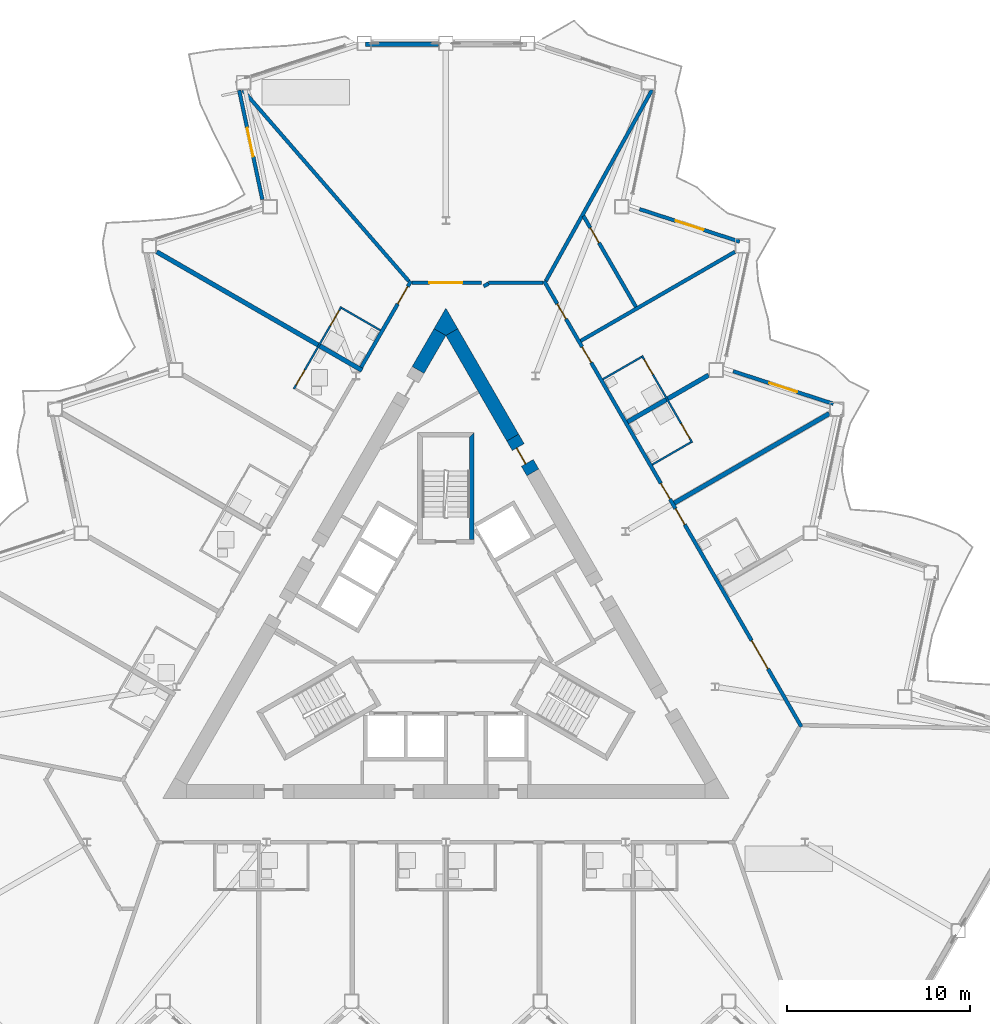
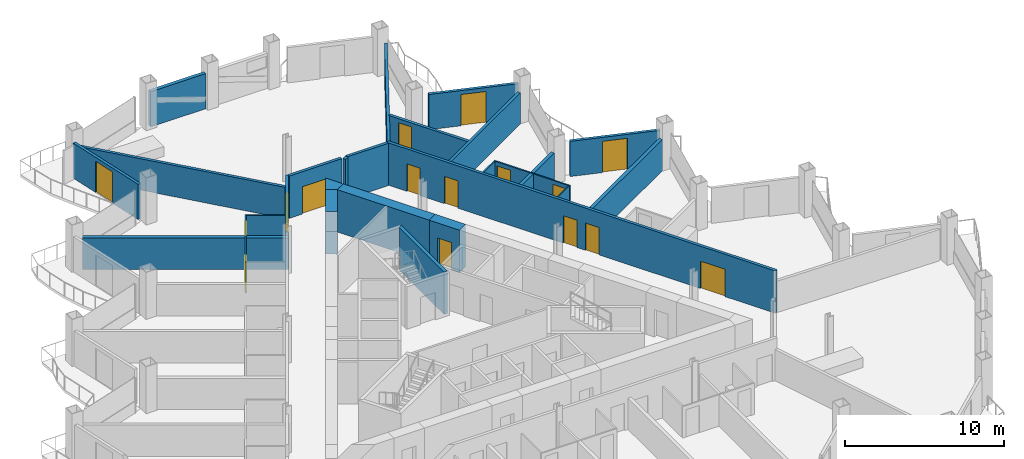
# One storey, part 14 of 23: 26 walls, 16 doors, 16 openings.
"""IFC4 building model written with IfcOpenShell, lengths in metres."""

from ifc_helpers import new_model, si_unit, direction, frame, frame_2d, origin, place, context, subcontext, project, spatial, polyline, rectangle, outline, extrude, material, layer, layer_set, type_object, element, fill, save


model = new_model("IFC4")

# Units and contexts
model_context = context("Model", 3, precision=1e-05, world=origin(), true_north=direction((0.0, 1.0)))
body_context = subcontext(model_context, "Body", "Model", "MODEL_VIEW")
ifc_project = project(units=[si_unit("LENGTHUNIT", "METRE"), si_unit("AREAUNIT", "SQUARE_METRE"), si_unit("VOLUMEUNIT", "CUBIC_METRE"), si_unit("PLANEANGLEUNIT", "RADIAN"), si_unit("MASSUNIT", "GRAM", prefix="KILO")], contexts=[model_context])

# Site, building, storey
site_placement = place(None, origin())
site = spatial("IfcSite", under=ifc_project, at=site_placement, CompositionType="ELEMENT")
building_placement = place(site_placement, origin())
building = spatial("IfcBuilding", under=site, at=building_placement, Name="Cormorant Prow Tower", CompositionType="ELEMENT")
storey_placement = place(building_placement, frame((0.0, 0.0, 183.60009765625)))
storey = spatial("IfcBuildingStorey", under=building, at=storey_placement, Name="L39", CompositionType="ELEMENT", Elevation=183.60009765625)

# Walls
ifc_material_1 = material(Name="Concrete 8000 psi", Category="concrete")
ifc_layer_1 = layer(ifc_material_1, 0.75)
ifc_layer_set_1 = layer_set([ifc_layer_1], Name="Concrete 8000 psi")
wall_type_1 = type_object("IfcWallType", Name="Core shear wall 750", PredefinedType="SHEAR", material=ifc_layer_set_1)
wall_1_placement = place(storey_placement, frame((3.661376953125, 10.806396484375, 0.0), z_axis=(0.0, 0.0, 1.0), x_axis=(-0.500014865866, 0.866016820803, 0.0)))
element("IfcWall", 1, at=wall_1_placement, inside=storey, type_object=wall_type_1, Name="Core wall", PredefinedType="SHEAR", context=body_context, shape_type="SweptSolid", body=[
    extrude(rectangle(XDim=6.673095703125, YDim=0.75, at=frame_2d((3.33642578125, 0.0))), origin(), (0.0, 0.0, 1.0), 3.25),
])
wall_2_placement = place(storey_placement, frame((-0.32470703125, 16.58544921875, 0.0), z_axis=(0.0, 0.0, 1.0), x_axis=(-0.500019473932, -0.866014160212, 0.0)))
element("IfcWall", 2, at=wall_2_placement, inside=storey, type_object=wall_type_1, Name="Core wall", PredefinedType="SHEAR", context=body_context, shape_type="SweptSolid", body=[
    extrude(rectangle(XDim=2.3955078125, YDim=0.75, at=frame_2d((1.19775390625, 0.0))), origin(), (0.0, 0.0, 1.0), 3.25),
])
wall_3_placement = place(storey_placement, origin())
element("IfcWall", 3, at=wall_3_placement, inside=storey, type_object=wall_type_1, Name="Core wall corner", PredefinedType="SHEAR", context=body_context, shape_type="SweptSolid", body=[
    extrude(outline(polyline([(-0.6494140625, 16.77294921875), (0.0, 17.89794921875), (0.6494140625, 16.77294921875), (0.0, 16.39794921875), (-0.6494140625, 16.77294921875)])), origin(), (0.0, 0.0, 1.0), 3.25),
])

# Wall, opening, door
wall_4_placement = place(storey_placement, frame((4.76123046875, 8.90087890625, 0.0), z_axis=(0.0, 0.0, 1.0), x_axis=(-0.499898558967, 0.866083962871, 0.0)))
wall_4 = element("IfcWall", 4, at=wall_4_placement, inside=storey, type_object=wall_type_1, Name="Core wall door panel", PredefinedType="SHEAR", context=body_context, shape_type="SweptSolid", body=[
    extrude(rectangle(XDim=2.2001953125, YDim=0.75, at=frame_2d((1.10009765625, 0.0))), origin(), (0.0, 0.0, 1.0), 3.25),
])
opening_1_placement = place(wall_4_placement, frame((0.60009765625, 0.0, 0.0)))
opening_1 = element("IfcOpeningElement", 5, at=opening_1_placement, cuts=wall_4, Name="Opening L39-C20", PredefinedType="OPENING", context=body_context, shape_type="SweptSolid", body=[
    extrude(rectangle(XDim=1.0, YDim=2.10009765625, at=frame_2d((0.5, 1.050048828125))), frame((0.0, 0.385009765625, 0.0), z_axis=(0.0, -1.0, 0.0), x_axis=(1.0, 0.0, 0.0)), (0.0, 0.0, 1.0), 0.77001953125),
])
ifc_material_2 = material(Name="Painted steel", Category="steel")
door_type_1 = type_object("IfcDoorType", Name="Service door 1000x2100", OperationType="NOTDEFINED", PredefinedType="DOOR", material=ifc_material_2)
door_1_placement = place(opening_1_placement, origin())
door_1 = element("IfcDoor", 6, at=door_1_placement, inside=storey, type_object=door_type_1, Name="Core door, Linen store", OperationType="SINGLE_SWING_RIGHT", OverallHeight=2.10009765625, OverallWidth=1.0, PredefinedType="DOOR", context=body_context, shape_type="SweptSolid", body=[
    extrude(rectangle(XDim=1.0, YDim=2.10009765625, at=frame_2d((0.5, 1.050048828125))), frame((0.0, 0.1298828125, 0.0), z_axis=(0.0, -1.0, 0.0), x_axis=(1.0, 0.0, 0.0)), (0.0, 0.0, 1.0), 0.050048828125),
])
fill(opening_1, door_1)

# Wall, openings, doors
ifc_material_3 = material(Name="Gypsum board corridor wall")
ifc_layer_2 = layer(ifc_material_3, 0.199951171875)
ifc_layer_set_2 = layer_set([ifc_layer_2], Name="Gypsum board corridor wall")
wall_type_2 = type_object("IfcWallType", Name="Corridor wall 200", PredefinedType="PARTITIONING", material=ifc_layer_set_2)
wall_5_placement = place(storey_placement, frame((5.377197265625, 19.384521484375, 0.0), z_axis=(0.0, 0.0, 1.0), x_axis=(0.500000757641, -0.86602496636, 0.0)))
wall_5 = element("IfcWall", 7, at=wall_5_placement, inside=storey, type_object=wall_type_2, Name="Corridor wall", PredefinedType="PARTITIONING", context=body_context, shape_type="SweptSolid", body=[
    extrude(rectangle(XDim=28.19775390625, YDim=0.199951171875, at=frame_2d((14.098876953125, 0.0))), origin(), (0.0, 0.0, 1.0), 3.25),
])
opening_2_placement = place(wall_5_placement, frame((22.73486328125, 0.0, 0.0)))
opening_2 = element("IfcOpeningElement", 8, at=opening_2_placement, cuts=wall_5, Name="Opening L39-F14", PredefinedType="OPENING", context=body_context, shape_type="SweptSolid", body=[
    extrude(rectangle(XDim=1.800048828125, YDim=2.10009765625, at=frame_2d((0.89990234375, 1.050048828125))), frame((0.0, 0.10986328125, 0.0), z_axis=(0.0, -1.0, 0.0), x_axis=(1.0, 0.0, 0.0)), (0.0, 0.0, 1.0), 0.219970703125),
])
opening_3_placement = place(wall_5_placement, frame((14.40185546875, 0.0, 0.0)))
opening_3 = element("IfcOpeningElement", 9, at=opening_3_placement, cuts=wall_5, Name="Opening L39-F15", PredefinedType="OPENING", context=body_context, shape_type="SweptSolid", body=[
    extrude(rectangle(XDim=1.0, YDim=2.10009765625, at=frame_2d((0.5, 1.050048828125))), frame((0.0, 0.10986328125, 0.0), z_axis=(0.0, -1.0, 0.0), x_axis=(1.0, 0.0, 0.0)), (0.0, 0.0, 1.0), 0.219970703125),
])
opening_4_placement = place(wall_5_placement, frame((12.7958984375, 0.0, 0.0)))
opening_4 = element("IfcOpeningElement", 10, at=opening_4_placement, cuts=wall_5, Name="Opening L39-F17", PredefinedType="OPENING", context=body_context, shape_type="SweptSolid", body=[
    extrude(rectangle(XDim=1.0, YDim=2.10009765625, at=frame_2d((0.5, 1.050048828125))), frame((0.0, 0.10986328125, 0.0), z_axis=(0.0, -1.0, 0.0), x_axis=(1.0, 0.0, 0.0)), (0.0, 0.0, 1.0), 0.219970703125),
])
opening_5_placement = place(wall_5_placement, frame((4.164306640625, 0.0, 0.0)))
opening_5 = element("IfcOpeningElement", 11, at=opening_5_placement, cuts=wall_5, Name="Opening L39-F19", PredefinedType="OPENING", context=body_context, shape_type="SweptSolid", body=[
    extrude(rectangle(XDim=1.0, YDim=2.10009765625, at=frame_2d((0.5, 1.050048828125))), frame((0.0, 0.10986328125, 0.0), z_axis=(0.0, -1.0, 0.0), x_axis=(1.0, 0.0, 0.0)), (0.0, 0.0, 1.0), 0.219970703125),
])
opening_6_placement = place(wall_5_placement, frame((1.4521484375, 0.0, 0.0)))
opening_6 = element("IfcOpeningElement", 12, at=opening_6_placement, cuts=wall_5, Name="Opening L39-F21", PredefinedType="OPENING", context=body_context, shape_type="SweptSolid", body=[
    extrude(rectangle(XDim=0.949951171875, YDim=2.10009765625, at=frame_2d((0.47509765625, 1.050048828125))), frame((0.0, 0.10986328125, 0.0), z_axis=(0.0, -1.0, 0.0), x_axis=(1.0, 0.0, 0.0)), (0.0, 0.0, 1.0), 0.219970703125),
])
ifc_material_4 = material(Name="Timber door leaf", Category="wood")
door_type_2 = type_object("IfcDoorType", Name="Double door 1800x2100", OperationType="DOUBLE_DOOR_SINGLE_SWING", PredefinedType="DOOR", material=ifc_material_4)
door_2_placement = place(opening_2_placement, origin())
door_2 = element("IfcDoor", 13, at=door_2_placement, inside=storey, type_object=door_type_2, Name="Club lounge door", OperationType="DOUBLE_DOOR_SINGLE_SWING", OverallHeight=2.10009765625, OverallWidth=1.800048828125, PredefinedType="DOOR", context=body_context, shape_type="SweptSolid", body=[
    extrude(rectangle(XDim=1.800048828125, YDim=2.10009765625, at=frame_2d((0.89990234375, 1.050048828125))), frame((0.0, 0.02490234375, 0.0), z_axis=(0.0, -1.0, 0.0), x_axis=(1.0, 0.0, 0.0)), (0.0, 0.0, 1.0), 0.050048828125),
])
fill(opening_2, door_2)
ifc_material_5 = material(Name="Timber door leaf", Category="wood")
door_type_3 = type_object("IfcDoorType", Name="Flat or room entrance door 1000x2100", OperationType="NOTDEFINED", PredefinedType="DOOR", material=ifc_material_5)
door_3_placement = place(opening_3_placement, origin())
door_3 = element("IfcDoor", 14, at=door_3_placement, inside=storey, type_object=door_type_3, Name="Guest room door", OperationType="SINGLE_SWING_LEFT", OverallHeight=2.10009765625, OverallWidth=1.0, PredefinedType="DOOR", context=body_context, shape_type="SweptSolid", body=[
    extrude(rectangle(XDim=1.0, YDim=2.10009765625, at=frame_2d((0.5, 1.050048828125))), frame((0.0, 0.02490234375, 0.0), z_axis=(0.0, -1.0, 0.0), x_axis=(1.0, 0.0, 0.0)), (0.0, 0.0, 1.0), 0.050048828125),
])
fill(opening_3, door_3)
door_4_placement = place(opening_4_placement, origin())
door_4 = element("IfcDoor", 15, at=door_4_placement, inside=storey, type_object=door_type_3, Name="Guest room door", OperationType="SINGLE_SWING_RIGHT", OverallHeight=2.10009765625, OverallWidth=1.0, PredefinedType="DOOR", context=body_context, shape_type="SweptSolid", body=[
    extrude(rectangle(XDim=1.0, YDim=2.10009765625, at=frame_2d((0.5, 1.050048828125))), frame((0.0, 0.02490234375, 0.0), z_axis=(0.0, -1.0, 0.0), x_axis=(1.0, 0.0, 0.0)), (0.0, 0.0, 1.0), 0.050048828125),
])
fill(opening_4, door_4)
door_5_placement = place(opening_5_placement, origin())
door_5 = element("IfcDoor", 16, at=door_5_placement, inside=storey, type_object=door_type_3, Name="Guest room door", OperationType="SINGLE_SWING_LEFT", OverallHeight=2.10009765625, OverallWidth=1.0, PredefinedType="DOOR", context=body_context, shape_type="SweptSolid", body=[
    extrude(rectangle(XDim=1.0, YDim=2.10009765625, at=frame_2d((0.5, 1.050048828125))), frame((0.0, 0.02490234375, 0.0), z_axis=(0.0, -1.0, 0.0), x_axis=(1.0, 0.0, 0.0)), (0.0, 0.0, 1.0), 0.050048828125),
])
fill(opening_5, door_5)
ifc_material_6 = material(Name="Timber door leaf", Category="wood")
door_type_4 = type_object("IfcDoorType", Name="Store door 950x2100", OperationType="NOTDEFINED", PredefinedType="DOOR", material=ifc_material_6)
door_6_placement = place(opening_6_placement, origin())
door_6 = element("IfcDoor", 17, at=door_6_placement, inside=storey, type_object=door_type_4, Name="Housekeeping room door", OperationType="SINGLE_SWING_LEFT", OverallHeight=2.10009765625, OverallWidth=0.949951171875, PredefinedType="DOOR", context=body_context, shape_type="SweptSolid", body=[
    extrude(rectangle(XDim=0.949951171875, YDim=2.10009765625, at=frame_2d((0.47509765625, 1.050048828125))), frame((0.0, 0.02490234375, 0.0), z_axis=(0.0, -1.0, 0.0), x_axis=(1.0, 0.0, 0.0)), (0.0, 0.0, 1.0), 0.050048828125),
])
fill(opening_6, door_6)

# Wall, opening, door
wall_6_placement = place(storey_placement, frame((-4.643798828125, 14.654541015625, 0.0), z_axis=(0.0, 0.0, 1.0), x_axis=(0.49998041698, 0.866036709751, 0.0)))
wall_6 = element("IfcWall", 18, at=wall_6_placement, inside=storey, type_object=wall_type_2, Name="Corridor wall", PredefinedType="PARTITIONING", context=body_context, shape_type="SweptSolid", body=[
    extrude(rectangle(XDim=5.461669921875, YDim=0.199951171875, at=frame_2d((2.73095703125, 0.0))), origin(), (0.0, 0.0, 1.0), 3.25),
])
opening_7_placement = place(wall_6_placement, frame((4.010009765625, 0.0, 0.0)))
opening_7 = element("IfcOpeningElement", 19, at=opening_7_placement, cuts=wall_6, Name="Opening L39-F24", PredefinedType="OPENING", context=body_context, shape_type="SweptSolid", body=[
    extrude(rectangle(XDim=1.10009765625, YDim=2.10009765625, at=frame_2d((0.550048828125, 1.050048828125))), frame((0.0, 0.10986328125, 0.0), z_axis=(0.0, -1.0, 0.0), x_axis=(1.0, 0.0, 0.0)), (0.0, 0.0, 1.0), 0.219970703125),
])
ifc_material_7 = material(Name="Timber door leaf", Category="wood")
door_type_5 = type_object("IfcDoorType", Name="Suite entrance door 1100x2100", OperationType="NOTDEFINED", PredefinedType="DOOR", material=ifc_material_7)
door_7_placement = place(opening_7_placement, origin())
door_7 = element("IfcDoor", 20, at=door_7_placement, inside=storey, type_object=door_type_5, Name="Junior suite door", OperationType="SINGLE_SWING_RIGHT", OverallHeight=2.10009765625, OverallWidth=1.10009765625, PredefinedType="DOOR", context=body_context, shape_type="SweptSolid", body=[
    extrude(rectangle(XDim=1.10009765625, YDim=2.10009765625, at=frame_2d((0.550048828125, 1.050048828125))), frame((0.0, 0.02490234375, 0.0), z_axis=(0.0, -1.0, 0.0), x_axis=(1.0, 0.0, 0.0)), (0.0, 0.0, 1.0), 0.050048828125),
])
fill(opening_7, door_7)

wall_7_placement = place(storey_placement, frame((-1.863037109375, 19.2978515625, 0.0), z_axis=(0.0, 0.0, 1.0), x_axis=(1.0, 0.0, 0.0)))
wall_7 = element("IfcWall", 21, at=wall_7_placement, inside=storey, type_object=wall_type_2, Name="Corridor wall", PredefinedType="PARTITIONING", context=body_context, shape_type="SweptSolid", body=[
    extrude(rectangle(XDim=3.825927734375, YDim=0.199951171875, at=frame_2d((1.9130859375, 0.0))), origin(), (0.0, 0.0, 1.0), 3.25),
])
opening_8_placement = place(wall_7_placement, frame((0.962158203125, 0.0, 0.0)))
opening_8 = element("IfcOpeningElement", 22, at=opening_8_placement, cuts=wall_7, Name="Opening L39-F23", PredefinedType="OPENING", context=body_context, shape_type="SweptSolid", body=[
    extrude(rectangle(XDim=1.800048828125, YDim=2.10009765625, at=frame_2d((0.89990234375, 1.050048828125))), frame((0.0, 0.10986328125, 0.0), z_axis=(0.0, -1.0, 0.0), x_axis=(1.0, 0.0, 0.0)), (0.0, 0.0, 1.0), 0.219970703125),
])
door_8_placement = place(opening_8_placement, origin())
door_8 = element("IfcDoor", 23, at=door_8_placement, inside=storey, type_object=door_type_2, Name="Co-working space door", OperationType="DOUBLE_DOOR_SINGLE_SWING", OverallHeight=2.10009765625, OverallWidth=1.800048828125, PredefinedType="DOOR", context=body_context, shape_type="SweptSolid", body=[
    extrude(rectangle(XDim=1.800048828125, YDim=2.10009765625, at=frame_2d((0.89990234375, 1.050048828125))), frame((0.0, 0.02490234375, 0.0), z_axis=(0.0, -1.0, 0.0), x_axis=(1.0, 0.0, 0.0)), (0.0, 0.0, 1.0), 0.050048828125),
])
fill(opening_8, door_8)

# Walls
wall_8_placement = place(storey_placement, frame((2.324951171875, 19.2978515625, 0.0), z_axis=(0.0, 0.0, 1.0), x_axis=(1.0, 0.0, 0.0)))
element("IfcWall", 24, at=wall_8_placement, inside=storey, type_object=wall_type_2, Name="Corridor wall", PredefinedType="PARTITIONING", context=body_context, shape_type="SweptSolid", body=[
    extrude(rectangle(XDim=3.002197265625, YDim=0.199951171875, at=frame_2d((1.5009765625, 0.0))), origin(), (0.0, 0.0, 1.0), 3.25),
])
wall_9_placement = place(storey_placement, frame((2.06982421875, 19.093017578125, 0.0), z_axis=(0.0, 0.0, 1.0), x_axis=(0.866395311824, 0.499358752451, 0.0)))
element("IfcWall", 25, at=wall_9_placement, inside=storey, type_object=wall_type_2, Name="Corridor wall", PredefinedType="PARTITIONING", context=body_context, shape_type="SweptSolid", body=[
    extrude(rectangle(XDim=0.31005859375, YDim=0.199951171875, at=frame_2d((0.155029296875, 0.0))), origin(), (0.0, 0.0, 1.0), 3.25),
])
ifc_material_8 = material(Name="Gypsum board demising wall")
ifc_layer_3 = layer(ifc_material_8, 0.199951171875)
ifc_layer_set_3 = layer_set([ifc_layer_3], Name="Gypsum board demising wall")
wall_type_3 = type_object("IfcWallType", Name="Demising wall 200", PredefinedType="PARTITIONING", material=ifc_layer_set_3)
wall_10_placement = place(storey_placement, frame((-11.122314453125, 29.841796875, 0.0), z_axis=(0.0, 0.0, 1.0), x_axis=(0.65579678992, -0.754937461205, 0.0)))
element("IfcWall", 26, at=wall_10_placement, inside=storey, type_object=wall_type_3, Name="Demising wall", PredefinedType="PARTITIONING", context=body_context, shape_type="SweptSolid", body=[
    extrude(rectangle(XDim=13.86669921875, YDim=0.199951171875, at=frame_2d((6.933349609375, 0.0))), origin(), (0.0, 0.0, 1.0), 2.404052734375),
])
wall_11_placement = place(storey_placement, frame((5.4755859375, 19.38525390625, 0.0), z_axis=(0.0, 0.0, 1.0), x_axis=(0.485729569949, 0.874109137853, 0.0)))
element("IfcWall", 27, at=wall_11_placement, inside=storey, type_object=wall_type_3, Name="Demising wall", PredefinedType="PARTITIONING", context=body_context, shape_type="SweptSolid", body=[
    extrude(rectangle(XDim=11.96240234375, YDim=0.199951171875, at=frame_2d((5.981201171875, 0.0))), origin(), (0.0, 0.0, 1.0), 2.404052734375),
])
wall_12_placement = place(storey_placement, frame((7.385986328125, 16.10498046875, 0.0), z_axis=(0.0, 0.0, 1.0), x_axis=(0.866023056814, 0.500004065051, 0.0)))
element("IfcWall", 28, at=wall_12_placement, inside=storey, type_object=wall_type_3, Name="Demising wall", PredefinedType="PARTITIONING", context=body_context, shape_type="SweptSolid", body=[
    extrude(rectangle(XDim=9.755859375, YDim=0.199951171875, at=frame_2d((4.8779296875, 0.0))), origin(), (0.0, 0.0, 1.0), 2.404052734375),
])

# Wall, opening, door
wall_13_placement = place(storey_placement, frame((7.534423828125, 22.947998046875, 0.0), z_axis=(0.0, 0.0, 1.0), x_axis=(0.499991885958, -0.866030088378, 0.0)))
wall_13 = element("IfcWall", 29, at=wall_13_placement, inside=storey, type_object=wall_type_3, Name="Demising wall", PredefinedType="PARTITIONING", context=body_context, shape_type="SweptSolid", body=[
    extrude(rectangle(XDim=5.751953125, YDim=0.199951171875, at=frame_2d((2.8759765625, 0.0))), origin(), (0.0, 0.0, 1.0), 2.404052734375),
])
opening_9_placement = place(wall_13_placement, frame((0.750244140625, 0.0, 0.0)))
opening_9 = element("IfcOpeningElement", 30, at=opening_9_placement, cuts=wall_13, Name="Opening L39-F22", PredefinedType="OPENING", context=body_context, shape_type="SweptSolid", body=[
    extrude(rectangle(XDim=0.949951171875, YDim=2.10009765625, at=frame_2d((0.47509765625, 1.050048828125))), frame((0.0, 0.10986328125, 0.0), z_axis=(0.0, -1.0, 0.0), x_axis=(1.0, 0.0, 0.0)), (0.0, 0.0, 1.0), 0.219970703125),
])
door_9_placement = place(opening_9_placement, origin())
door_9 = element("IfcDoor", 31, at=door_9_placement, inside=storey, type_object=door_type_4, Name="Linen store door", OperationType="SINGLE_SWING_LEFT", OverallHeight=2.10009765625, OverallWidth=0.949951171875, PredefinedType="DOOR", context=body_context, shape_type="SweptSolid", body=[
    extrude(rectangle(XDim=0.949951171875, YDim=2.10009765625, at=frame_2d((0.47509765625, 1.050048828125))), frame((0.0, 0.02490234375, 0.0), z_axis=(0.0, -1.0, 0.0), x_axis=(1.0, 0.0, 0.0)), (0.0, 0.0, 1.0), 0.050048828125),
])
fill(opening_9, door_9)

# Wall, openings, doors
ifc_material_9 = material(Name="Gypsum board partition")
ifc_layer_4 = layer(ifc_material_9, 0.10009765625)
ifc_layer_set_4 = layer_set([ifc_layer_4], Name="Gypsum board partition")
wall_type_4 = type_object("IfcWallType", Name="Internal partition 100", PredefinedType="PARTITIONING", material=ifc_layer_set_4)
wall_14_placement = place(storey_placement, frame((10.739501953125, 15.296142578125, 0.0), z_axis=(0.0, 0.0, 1.0), x_axis=(0.500015767406, -0.866016300277, 0.0)))
wall_14 = element("IfcWall", 32, at=wall_14_placement, inside=storey, type_object=wall_type_4, Name="Internal partition", PredefinedType="PARTITIONING", context=body_context, shape_type="SweptSolid", body=[
    extrude(rectangle(XDim=5.499755859375, YDim=0.10009765625, at=frame_2d((2.75, 0.0))), origin(), (0.0, 0.0, 1.0), 2.404052734375),
])
opening_10_placement = place(wall_14_placement, frame((4.300048828125, 0.0, 0.0)))
opening_10 = element("IfcOpeningElement", 33, at=opening_10_placement, cuts=wall_14, Name="Opening L39-F18", PredefinedType="OPENING", context=body_context, shape_type="SweptSolid", body=[
    extrude(rectangle(XDim=0.949951171875, YDim=2.10009765625, at=frame_2d((0.47509765625, 1.050048828125))), frame((0.0, 0.06005859375, 0.0), z_axis=(0.0, -1.0, 0.0), x_axis=(1.0, 0.0, 0.0)), (0.0, 0.0, 1.0), 0.1201171875),
])
opening_11_placement = place(wall_14_placement, frame((0.25, 0.0, 0.0)))
opening_11 = element("IfcOpeningElement", 34, at=opening_11_placement, cuts=wall_14, Name="Opening L39-F20", PredefinedType="OPENING", context=body_context, shape_type="SweptSolid", body=[
    extrude(rectangle(XDim=0.949951171875, YDim=2.10009765625, at=frame_2d((0.47509765625, 1.050048828125))), frame((0.0, 0.06005859375, 0.0), z_axis=(0.0, -1.0, 0.0), x_axis=(1.0, 0.0, 0.0)), (0.0, 0.0, 1.0), 0.1201171875),
])
ifc_material_10 = material(Name="Timber door leaf", Category="wood")
door_type_6 = type_object("IfcDoorType", Name="Bathroom door 950x2100", OperationType="NOTDEFINED", PredefinedType="DOOR", material=ifc_material_10)
door_10_placement = place(opening_10_placement, origin())
door_10 = element("IfcDoor", 35, at=door_10_placement, inside=storey, type_object=door_type_6, Name="Guest room door", OperationType="SINGLE_SWING_RIGHT", OverallHeight=2.10009765625, OverallWidth=0.949951171875, PredefinedType="DOOR", context=body_context, shape_type="SweptSolid", body=[
    extrude(rectangle(XDim=0.949951171875, YDim=2.10009765625, at=frame_2d((0.47509765625, 1.050048828125))), frame((0.0, 0.02490234375, 0.0), z_axis=(0.0, -1.0, 0.0), x_axis=(1.0, 0.0, 0.0)), (0.0, 0.0, 1.0), 0.050048828125),
])
fill(opening_10, door_10)
door_11_placement = place(opening_11_placement, origin())
door_11 = element("IfcDoor", 36, at=door_11_placement, inside=storey, type_object=door_type_6, Name="Guest room door", OperationType="SINGLE_SWING_LEFT", OverallHeight=2.10009765625, OverallWidth=0.949951171875, PredefinedType="DOOR", context=body_context, shape_type="SweptSolid", body=[
    extrude(rectangle(XDim=0.949951171875, YDim=2.10009765625, at=frame_2d((0.47509765625, 1.050048828125))), frame((0.0, 0.02490234375, 0.0), z_axis=(0.0, -1.0, 0.0), x_axis=(1.0, 0.0, 0.0)), (0.0, 0.0, 1.0), 0.050048828125),
])
fill(opening_11, door_11)

wall_15_placement = place(storey_placement, frame((-8.327880859375, 13.473388671875, 0.0), z_axis=(0.0, 0.0, 1.0), x_axis=(0.499992051641, 0.866029992723, 0.0)))
wall_15 = element("IfcWall", 37, at=wall_15_placement, inside=storey, type_object=wall_type_4, Name="Internal partition", PredefinedType="PARTITIONING", context=body_context, shape_type="SweptSolid", body=[
    extrude(rectangle(XDim=5.19970703125, YDim=0.10009765625, at=frame_2d((2.599853515625, 0.0))), origin(), (0.0, 0.0, 1.0), 2.404052734375),
])
opening_12_placement = place(wall_15_placement, frame((4.0, 0.0, 0.0)))
opening_12 = element("IfcOpeningElement", 38, at=opening_12_placement, cuts=wall_15, Name="Opening L39-F25", PredefinedType="OPENING", context=body_context, shape_type="SweptSolid", body=[
    extrude(rectangle(XDim=0.949951171875, YDim=2.10009765625, at=frame_2d((0.47509765625, 1.050048828125))), frame((0.0, 0.06005859375, 0.0), z_axis=(0.0, -1.0, 0.0), x_axis=(1.0, 0.0, 0.0)), (0.0, 0.0, 1.0), 0.1201171875),
])
opening_13_placement = place(wall_15_placement, frame((0.25, 0.0, 0.0)))
opening_13 = element("IfcOpeningElement", 39, at=opening_13_placement, cuts=wall_15, Name="Opening L39-F27", PredefinedType="OPENING", context=body_context, shape_type="SweptSolid", body=[
    extrude(rectangle(XDim=0.949951171875, YDim=2.10009765625, at=frame_2d((0.47509765625, 1.050048828125))), frame((0.0, 0.06005859375, 0.0), z_axis=(0.0, -1.0, 0.0), x_axis=(1.0, 0.0, 0.0)), (0.0, 0.0, 1.0), 0.1201171875),
])
door_12_placement = place(opening_12_placement, origin())
door_12 = element("IfcDoor", 40, at=door_12_placement, inside=storey, type_object=door_type_6, Name="Junior suite door", OperationType="SINGLE_SWING_RIGHT", OverallHeight=2.10009765625, OverallWidth=0.949951171875, PredefinedType="DOOR", context=body_context, shape_type="SweptSolid", body=[
    extrude(rectangle(XDim=0.949951171875, YDim=2.10009765625, at=frame_2d((0.47509765625, 1.050048828125))), frame((0.0, 0.02490234375, 0.0), z_axis=(0.0, -1.0, 0.0), x_axis=(1.0, 0.0, 0.0)), (0.0, 0.0, 1.0), 0.050048828125),
])
fill(opening_12, door_12)
door_13_placement = place(opening_13_placement, origin())
door_13 = element("IfcDoor", 41, at=door_13_placement, inside=storey, type_object=door_type_6, Name="Guest room door", OperationType="SINGLE_SWING_LEFT", OverallHeight=2.10009765625, OverallWidth=0.949951171875, PredefinedType="DOOR", context=body_context, shape_type="SweptSolid", body=[
    extrude(rectangle(XDim=0.949951171875, YDim=2.10009765625, at=frame_2d((0.47509765625, 1.050048828125))), frame((0.0, 0.02490234375, 0.0), z_axis=(0.0, -1.0, 0.0), x_axis=(1.0, 0.0, 0.0)), (0.0, 0.0, 1.0), 0.050048828125),
])
fill(opening_13, door_13)

# Walls
wall_16_placement = place(storey_placement, frame((-5.709716796875, 17.908203125, 0.0), z_axis=(0.0, 0.0, 1.0), x_axis=(0.866057815567, -0.499943856944, 0.0)))
element("IfcWall", 42, at=wall_16_placement, inside=storey, type_object=wall_type_4, Name="Internal partition", PredefinedType="PARTITIONING", context=body_context, shape_type="SweptSolid", body=[
    extrude(rectangle(XDim=2.449951171875, YDim=0.10009765625, at=frame_2d((1.22509765625, 0.0))), origin(), (0.0, 0.0, 1.0), 2.404052734375),
])
wall_17_placement = place(storey_placement, frame((11.299560546875, 9.326416015625, 0.0), z_axis=(0.0, 0.0, 1.0), x_axis=(0.866014668023, 0.500018594424, 0.0)))
element("IfcWall", 43, at=wall_17_placement, inside=storey, type_object=wall_type_4, Name="Internal partition", PredefinedType="PARTITIONING", context=body_context, shape_type="SweptSolid", body=[
    extrude(rectangle(XDim=2.4501953125, YDim=0.10009765625, at=frame_2d((1.22509765625, 0.0))), origin(), (0.0, 0.0, 1.0), 2.404052734375),
])
wall_18_placement = place(storey_placement, frame((8.599609375, 14.0029296875, 0.0), z_axis=(0.0, 0.0, 1.0), x_axis=(0.866032905446, 0.499987006516, 0.0)))
element("IfcWall", 44, at=wall_18_placement, inside=storey, type_object=wall_type_4, Name="Internal partition", PredefinedType="PARTITIONING", context=body_context, shape_type="SweptSolid", body=[
    extrude(rectangle(XDim=2.44970703125, YDim=0.10009765625, at=frame_2d((1.224853515625, 0.0))), origin(), (0.0, 0.0, 1.0), 2.404052734375),
])
ifc_material_11 = material(Name="Concrete 8000 psi", Category="concrete")
ifc_layer_5 = layer(ifc_material_11, 0.25)
ifc_layer_set_5 = layer_set([ifc_layer_5], Name="Concrete 8000 psi")
wall_type_5 = type_object("IfcWallType", Name="Stair wall 250", PredefinedType="SHEAR", material=ifc_layer_set_5)
wall_19_placement = place(storey_placement, origin())
element("IfcWall", 45, at=wall_19_placement, inside=storey, type_object=wall_type_5, Name="Stair ST3 enclosure wall (flank)", PredefinedType="SHEAR", context=body_context, shape_type="SweptSolid", body=[
    extrude(outline(polyline([(1.5439453125, 5.23681640625), (1.5439453125, 11.0869140625), (1.2939453125, 10.8369140625), (1.2939453125, 5.23681640625), (1.5439453125, 5.23681640625)])), origin(), (0.0, 0.0, 1.0), 3.25),
])
ifc_material_12 = material(Name="Acoustic gypsum party wall")
ifc_layer_6 = layer(ifc_material_12, 0.25)
ifc_layer_set_6 = layer_set([ifc_layer_6], Name="Acoustic gypsum party wall")
wall_type_6 = type_object("IfcWallType", Name="Suite party wall 250", PredefinedType="PARTITIONING", material=ifc_layer_set_6)
wall_20_placement = place(storey_placement, frame((-15.834716796875, 20.98291015625, 0.0), z_axis=(0.0, 0.0, 1.0), x_axis=(0.866022720283, -0.500004647933, 0.0)))
element("IfcWall", 46, at=wall_20_placement, inside=storey, type_object=wall_type_6, Name="Suite party wall", PredefinedType="PARTITIONING", context=body_context, shape_type="SweptSolid", body=[
    extrude(rectangle(XDim=12.98095703125, YDim=0.25, at=frame_2d((6.490478515625, 0.0))), origin(), (0.0, 0.0, 1.0), 2.404052734375),
])
wall_21_placement = place(storey_placement, frame((12.51318359375, 7.224609375, 0.0), z_axis=(0.0, 0.0, 1.0), x_axis=(0.866032905446, 0.499987006516, 0.0)))
element("IfcWall", 47, at=wall_21_placement, inside=storey, type_object=wall_type_6, Name="Suite party wall", PredefinedType="PARTITIONING", context=body_context, shape_type="SweptSolid", body=[
    extrude(rectangle(XDim=9.799072265625, YDim=0.25, at=frame_2d((4.8994140625, 0.0))), origin(), (0.0, 0.0, 1.0), 2.404052734375),
])
wall_22_placement = place(storey_placement, frame((9.94970703125, 11.664794921875, 0.0), z_axis=(0.0, 0.0, 1.0), x_axis=(0.86603095744, 0.499990380663, 0.0)))
element("IfcWall", 48, at=wall_22_placement, inside=storey, type_object=wall_type_6, Name="Suite party wall", PredefinedType="PARTITIONING", context=body_context, shape_type="SweptSolid", body=[
    extrude(rectangle(XDim=5.126953125, YDim=0.25, at=frame_2d((2.5634765625, 0.0))), origin(), (0.0, 0.0, 1.0), 2.404052734375),
])
ifc_material_13 = material(Name="Terracotta", Category="masonry")
ifc_layer_7 = layer(ifc_material_13, 0.25)
ifc_layer_set_7 = layer_set([ifc_layer_7], Name="Terracotta")
wall_type_7 = type_object("IfcWallType", Name="Terracotta bay wall 250", PredefinedType="SOLIDWALL", material=ifc_layer_set_7)
wall_23_placement = place(storey_placement, frame((-0.39990234375, 32.346923828125, 0.0), z_axis=(0.0, 0.0, 1.0), x_axis=(-1.0, 0.0, 0.0)))
element("IfcWall", 49, at=wall_23_placement, inside=storey, type_object=wall_type_7, Name="Terracotta bay wall N01", PredefinedType="SOLIDWALL", context=body_context, shape_type="SweptSolid", body=[
    extrude(rectangle(XDim=4.00390625, YDim=0.25, at=frame_2d((2.001953125, 0.0))), origin(), (0.0, 0.0, 1.0), 2.70068359375),
])

# Wall, opening, door
ifc_material_14 = material(Name="Terracotta", Category="masonry")
ifc_layer_8 = layer(ifc_material_14, 0.199951171875)
ifc_layer_set_8 = layer_set([ifc_layer_8], Name="Terracotta")
wall_type_8 = type_object("IfcWallType", Name="Terracotta jamb wall 200", PredefinedType="SOLIDWALL", material=ifc_layer_set_8)
wall_24_placement = place(storey_placement, frame((21.216552734375, 12.659423828125, 0.0), z_axis=(0.0, 0.0, 1.0), x_axis=(-0.951053678976, 0.30902572661, 0.0)))
wall_24 = element("IfcWall", 50, at=wall_24_placement, inside=storey, type_object=wall_type_8, Name="Terracotta jamb wall ENE05", PredefinedType="SOLIDWALL", context=body_context, shape_type="SweptSolid", body=[
    extrude(rectangle(XDim=5.76318359375, YDim=0.199951171875, at=frame_2d((2.881591796875, 0.0))), origin(), (0.0, 0.0, 1.0), 2.70068359375),
])
opening_14_placement = place(wall_24_placement, frame((2.08154296875, 0.0, 0.0)))
opening_14 = element("IfcOpeningElement", 51, at=opening_14_placement, cuts=wall_24, Name="Opening ED39.08", PredefinedType="OPENING", context=body_context, shape_type="SweptSolid", body=[
    extrude(rectangle(XDim=1.60009765625, YDim=2.39990234375, at=frame_2d((0.800048828125, 1.199951171875))), frame((0.0, 0.10986328125, 0.0), z_axis=(0.0, -1.0, 0.0), x_axis=(1.0, 0.0, 0.0)), (0.0, 0.0, 1.0), 0.219970703125),
])
ifc_material_15 = material(Name="Aluminium 6063-T6", Category="aluminium")
door_type_7 = type_object("IfcDoorType", Name="Balcony door 1600x2400", OperationType="DOUBLE_DOOR_SINGLE_SWING", PredefinedType="DOOR", material=ifc_material_15)
door_14_placement = place(opening_14_placement, origin())
door_14 = element("IfcDoor", 52, at=door_14_placement, inside=storey, type_object=door_type_7, Name="Balcony door ENE05 ED39.08", OperationType="DOUBLE_DOOR_SINGLE_SWING", OverallHeight=2.39990234375, OverallWidth=1.60009765625, PredefinedType="DOOR", context=body_context, shape_type="SweptSolid", body=[
    extrude(rectangle(XDim=1.60009765625, YDim=2.39990234375, at=frame_2d((0.800048828125, 1.199951171875))), frame((0.0, 0.02490234375, 0.0), z_axis=(0.0, -1.0, 0.0), x_axis=(1.0, 0.0, 0.0)), (0.0, 0.0, 1.0), 0.050048828125),
])
fill(opening_14, door_14)

wall_25_placement = place(storey_placement, frame((16.08935546875, 21.539794921875, 0.0), z_axis=(0.0, 0.0, 1.0), x_axis=(-0.951053678976, 0.30902572661, 0.0)))
wall_25 = element("IfcWall", 53, at=wall_25_placement, inside=storey, type_object=wall_type_8, Name="Terracotta jamb wall ENE07", PredefinedType="SOLIDWALL", context=body_context, shape_type="SweptSolid", body=[
    extrude(rectangle(XDim=5.76318359375, YDim=0.199951171875, at=frame_2d((2.881591796875, 0.0))), origin(), (0.0, 0.0, 1.0), 2.70068359375),
])
opening_15_placement = place(wall_25_placement, frame((2.08154296875, 0.0, 0.0)))
opening_15 = element("IfcOpeningElement", 54, at=opening_15_placement, cuts=wall_25, Name="Opening ED39.09", PredefinedType="OPENING", context=body_context, shape_type="SweptSolid", body=[
    extrude(rectangle(XDim=1.60009765625, YDim=2.39990234375, at=frame_2d((0.800048828125, 1.199951171875))), frame((0.0, 0.10986328125, 0.0), z_axis=(0.0, -1.0, 0.0), x_axis=(1.0, 0.0, 0.0)), (0.0, 0.0, 1.0), 0.219970703125),
])
door_15_placement = place(opening_15_placement, origin())
door_15 = element("IfcDoor", 55, at=door_15_placement, inside=storey, type_object=door_type_7, Name="Balcony door ENE07 ED39.09", OperationType="DOUBLE_DOOR_SINGLE_SWING", OverallHeight=2.39990234375, OverallWidth=1.60009765625, PredefinedType="DOOR", context=body_context, shape_type="SweptSolid", body=[
    extrude(rectangle(XDim=1.60009765625, YDim=2.39990234375, at=frame_2d((0.800048828125, 1.199951171875))), frame((0.0, 0.02490234375, 0.0), z_axis=(0.0, -1.0, 0.0), x_axis=(1.0, 0.0, 0.0)), (0.0, 0.0, 1.0), 0.050048828125),
])
fill(opening_15, door_15)

wall_26_placement = place(storey_placement, frame((-11.323974609375, 29.835205078125, 0.0), z_axis=(0.0, 0.0, 1.0), x_axis=(0.207925037413, -0.978144763732, 0.0)))
wall_26 = element("IfcWall", 56, at=wall_26_placement, inside=storey, type_object=wall_type_8, Name="Terracotta jamb wall WNW01", PredefinedType="SOLIDWALL", context=body_context, shape_type="SweptSolid", body=[
    extrude(rectangle(XDim=6.123291015625, YDim=0.199951171875, at=frame_2d((3.0615234375, 0.0))), origin(), (0.0, 0.0, 1.0), 2.70068359375),
])
opening_16_placement = place(wall_26_placement, frame((2.112548828125, 0.0, 0.0)))
opening_16 = element("IfcOpeningElement", 57, at=opening_16_placement, cuts=wall_26, Name="Opening ED39.11", PredefinedType="OPENING", context=body_context, shape_type="SweptSolid", body=[
    extrude(rectangle(XDim=1.60009765625, YDim=2.39990234375, at=frame_2d((0.800048828125, 1.199951171875))), frame((0.0, 0.10986328125, 0.0), z_axis=(0.0, -1.0, 0.0), x_axis=(1.0, 0.0, 0.0)), (0.0, 0.0, 1.0), 0.219970703125),
])
door_16_placement = place(opening_16_placement, origin())
door_16 = element("IfcDoor", 58, at=door_16_placement, inside=storey, type_object=door_type_7, Name="Balcony door WNW01 ED39.11", OperationType="DOUBLE_DOOR_SINGLE_SWING", OverallHeight=2.39990234375, OverallWidth=1.60009765625, PredefinedType="DOOR", context=body_context, shape_type="SweptSolid", body=[
    extrude(rectangle(XDim=1.60009765625, YDim=2.39990234375, at=frame_2d((0.800048828125, 1.199951171875))), frame((0.0, 0.02490234375, 0.0), z_axis=(0.0, -1.0, 0.0), x_axis=(1.0, 0.0, 0.0)), (0.0, 0.0, 1.0), 0.050048828125),
])
fill(opening_16, door_16)

save(model, "model.ifc")
